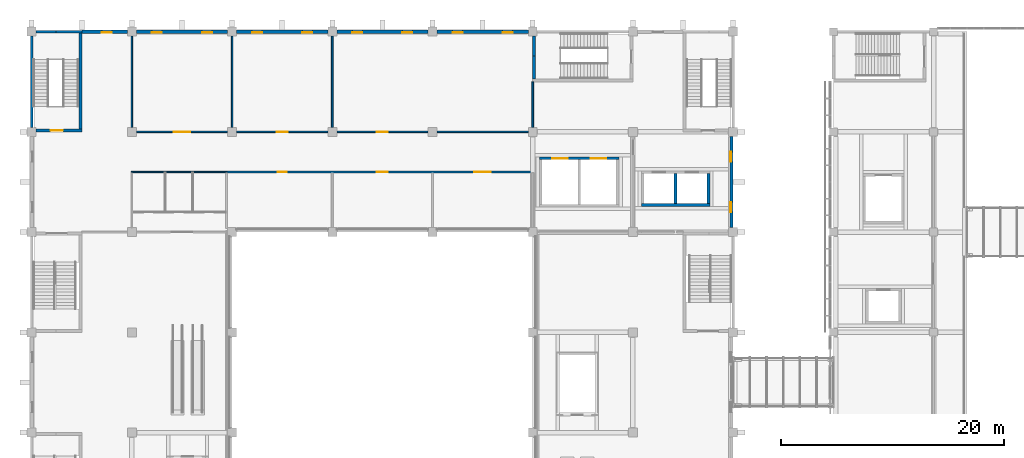
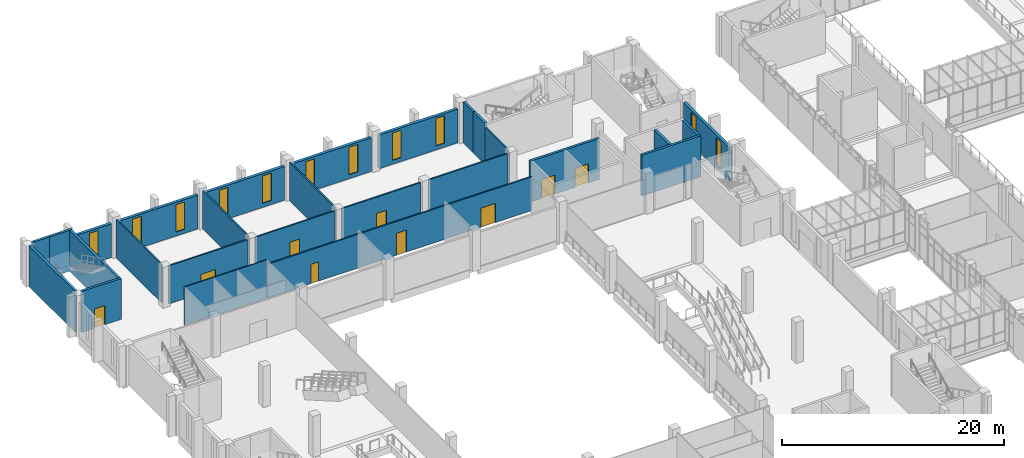
# One storey, part 73 of 106: 27 walls, 11 windows, 9 doors, 20 openings.
"""IFC4 building model written with IfcOpenShell, lengths in metres."""

from ifc_helpers import new_model, si_unit, direction, frame, frame_2d, origin, place, context, subcontext, project, spatial, rectangle, extrude, material, layer, layer_set, type_object, element, fill, save


model = new_model("IFC4")

# Units and contexts
model_context = context("Model", 3, precision=1e-05, world=origin(), true_north=direction((0.0, 1.0)))
body_context = subcontext(model_context, "Body", "Model", "MODEL_VIEW")
ifc_project = project(units=[si_unit("LENGTHUNIT", "METRE"), si_unit("AREAUNIT", "SQUARE_METRE"), si_unit("VOLUMEUNIT", "CUBIC_METRE"), si_unit("PLANEANGLEUNIT", "RADIAN"), si_unit("MASSUNIT", "GRAM", prefix="KILO")], contexts=[model_context])

# Site, building, storey
site_placement = place(None, origin())
site = spatial("IfcSite", under=ifc_project, at=site_placement, CompositionType="ELEMENT")
building_placement = place(site_placement, origin())
building = spatial("IfcBuilding", under=site, at=building_placement, Name="Guidao Yard Department Store", CompositionType="ELEMENT")
storey_placement = place(building_placement, frame((0.0, 0.0, 10.5)))
storey = spatial("IfcBuildingStorey", under=building, at=storey_placement, Name="L02", CompositionType="ELEMENT", Elevation=10.5)

# Wall, opening, window
ifc_material_1 = material(Name="Concrete C35", Category="concrete")
ifc_layer_1 = layer(ifc_material_1, 0.300048828125)
ifc_layer_set_1 = layer_set([ifc_layer_1], Name="Hall facade wall 300 C35")
wall_type_1 = type_object("IfcWallType", Name="Hall facade wall 300 C35", PredefinedType="SOLIDWALL", material=ifc_layer_set_1)
wall_1_placement = place(storey_placement, frame((4.5, 108.0, 0.0), z_axis=(0.0, 0.0, 1.0), x_axis=(1.0, 0.0, 0.0)))
wall_1 = element("IfcWall", 1, at=wall_1_placement, inside=storey, type_object=wall_type_1, Name="Hall facade wall", PredefinedType="SOLIDWALL", context=body_context, shape_type="SweptSolid", body=[
    extrude(rectangle(XDim=4.10009765625, YDim=0.300048828125, at=frame_2d((2.050048828125, 0.0))), origin(), (0.0, 0.0, 1.0), 3.699951171875),
])
opening_1_placement = place(wall_1_placement, frame((1.800048828125, 0.0, 0.449951171875)))
opening_1 = element("IfcOpeningElement", 2, at=opening_1_placement, cuts=wall_1, Name="Opening WN-L02-E09", PredefinedType="OPENING", context=body_context, shape_type="SweptSolid", body=[
    extrude(rectangle(XDim=0.89990234375, YDim=3.0, at=frame_2d((0.449951171875, 1.5))), frame((0.0, 0.159912109375, 0.0), z_axis=(0.0, -1.0, 0.0), x_axis=(1.0, 0.0, 0.0)), (0.0, 0.0, 1.0), 0.320068359375),
])
ifc_material_2 = material(Name="Laminated glass in aluminium frame", Category="aluminium")
window_type = type_object("IfcWindowType", Name="Slot window SL1 900 x 3000 fixed", PartitioningType="SINGLE_PANEL", PredefinedType="WINDOW", material=ifc_material_2)
window_1_placement = place(opening_1_placement, origin())
window_1 = element("IfcWindow", 3, at=window_1_placement, inside=storey, type_object=window_type, Name="Slot window", OverallHeight=3.0, OverallWidth=0.89990234375, PartitioningType="SINGLE_PANEL", PredefinedType="WINDOW", context=body_context, shape_type="SweptSolid", body=[
    extrude(rectangle(XDim=0.89990234375, YDim=3.0, at=frame_2d((0.449951171875, 1.5))), frame((0.0, -0.030029296875, 0.0), z_axis=(0.0, -1.0, 0.0), x_axis=(1.0, 0.0, 0.0)), (0.0, 0.0, 1.0), 0.06005859375),
])
fill(opening_1, window_1)

# Wall, openings, windows
wall_2_placement = place(storey_placement, frame((9.39990234375, 108.0, 0.0), z_axis=(0.0, 0.0, 1.0), x_axis=(1.0, 0.0, 0.0)))
wall_2 = element("IfcWall", 4, at=wall_2_placement, inside=storey, type_object=wall_type_1, Name="Hall facade wall", PredefinedType="SOLIDWALL", context=body_context, shape_type="SweptSolid", body=[
    extrude(rectangle(XDim=8.2001953125, YDim=0.300048828125, at=frame_2d((4.10009765625, 0.0))), origin(), (0.0, 0.0, 1.0), 3.699951171875),
])
opening_2_placement = place(wall_2_placement, frame((1.39990234375, 0.0, 0.449951171875)))
opening_2 = element("IfcOpeningElement", 5, at=opening_2_placement, cuts=wall_2, Name="Opening WN-L02-E10", PredefinedType="OPENING", context=body_context, shape_type="SweptSolid", body=[
    extrude(rectangle(XDim=0.89990234375, YDim=3.0, at=frame_2d((0.449951171875, 1.5))), frame((0.0, 0.159912109375, 0.0), z_axis=(0.0, -1.0, 0.0), x_axis=(1.0, 0.0, 0.0)), (0.0, 0.0, 1.0), 0.320068359375),
])
opening_3_placement = place(wall_2_placement, frame((5.89990234375, 0.0, 0.449951171875)))
opening_3 = element("IfcOpeningElement", 6, at=opening_3_placement, cuts=wall_2, Name="Opening WN-L02-E11", PredefinedType="OPENING", context=body_context, shape_type="SweptSolid", body=[
    extrude(rectangle(XDim=0.89990234375, YDim=3.0, at=frame_2d((0.449951171875, 1.5))), frame((0.0, 0.159912109375, 0.0), z_axis=(0.0, -1.0, 0.0), x_axis=(1.0, 0.0, 0.0)), (0.0, 0.0, 1.0), 0.320068359375),
])
window_2_placement = place(opening_2_placement, origin())
window_2 = element("IfcWindow", 7, at=window_2_placement, inside=storey, type_object=window_type, Name="Slot window", OverallHeight=3.0, OverallWidth=0.89990234375, PartitioningType="SINGLE_PANEL", PredefinedType="WINDOW", context=body_context, shape_type="SweptSolid", body=[
    extrude(rectangle(XDim=0.89990234375, YDim=3.0, at=frame_2d((0.449951171875, 1.5))), frame((0.0, -0.030029296875, 0.0), z_axis=(0.0, -1.0, 0.0), x_axis=(1.0, 0.0, 0.0)), (0.0, 0.0, 1.0), 0.06005859375),
])
fill(opening_2, window_2)
window_3_placement = place(opening_3_placement, origin())
window_3 = element("IfcWindow", 8, at=window_3_placement, inside=storey, type_object=window_type, Name="Slot window", OverallHeight=3.0, OverallWidth=0.89990234375, PartitioningType="SINGLE_PANEL", PredefinedType="WINDOW", context=body_context, shape_type="SweptSolid", body=[
    extrude(rectangle(XDim=0.89990234375, YDim=3.0, at=frame_2d((0.449951171875, 1.5))), frame((0.0, -0.030029296875, 0.0), z_axis=(0.0, -1.0, 0.0), x_axis=(1.0, 0.0, 0.0)), (0.0, 0.0, 1.0), 0.06005859375),
])
fill(opening_3, window_3)

wall_3_placement = place(storey_placement, frame((18.39990234375, 108.0, 0.0), z_axis=(0.0, 0.0, 1.0), x_axis=(1.0, 0.0, 0.0)))
wall_3 = element("IfcWall", 9, at=wall_3_placement, inside=storey, type_object=wall_type_1, Name="Hall facade wall", PredefinedType="SOLIDWALL", context=body_context, shape_type="SweptSolid", body=[
    extrude(rectangle(XDim=8.2001953125, YDim=0.300048828125, at=frame_2d((4.10009765625, 0.0))), origin(), (0.0, 0.0, 1.0), 3.699951171875),
])
opening_4_placement = place(wall_3_placement, frame((1.39990234375, 0.0, 0.449951171875)))
opening_4 = element("IfcOpeningElement", 10, at=opening_4_placement, cuts=wall_3, Name="Opening WN-L02-E12", PredefinedType="OPENING", context=body_context, shape_type="SweptSolid", body=[
    extrude(rectangle(XDim=0.89990234375, YDim=3.0, at=frame_2d((0.449951171875, 1.5))), frame((0.0, 0.159912109375, 0.0), z_axis=(0.0, -1.0, 0.0), x_axis=(1.0, 0.0, 0.0)), (0.0, 0.0, 1.0), 0.320068359375),
])
opening_5_placement = place(wall_3_placement, frame((5.89990234375, 0.0, 0.449951171875)))
opening_5 = element("IfcOpeningElement", 11, at=opening_5_placement, cuts=wall_3, Name="Opening WN-L02-E13", PredefinedType="OPENING", context=body_context, shape_type="SweptSolid", body=[
    extrude(rectangle(XDim=0.89990234375, YDim=3.0, at=frame_2d((0.449951171875, 1.5))), frame((0.0, 0.159912109375, 0.0), z_axis=(0.0, -1.0, 0.0), x_axis=(1.0, 0.0, 0.0)), (0.0, 0.0, 1.0), 0.320068359375),
])
window_4_placement = place(opening_4_placement, origin())
window_4 = element("IfcWindow", 12, at=window_4_placement, inside=storey, type_object=window_type, Name="Slot window", OverallHeight=3.0, OverallWidth=0.89990234375, PartitioningType="SINGLE_PANEL", PredefinedType="WINDOW", context=body_context, shape_type="SweptSolid", body=[
    extrude(rectangle(XDim=0.89990234375, YDim=3.0, at=frame_2d((0.449951171875, 1.5))), frame((0.0, -0.030029296875, 0.0), z_axis=(0.0, -1.0, 0.0), x_axis=(1.0, 0.0, 0.0)), (0.0, 0.0, 1.0), 0.06005859375),
])
fill(opening_4, window_4)
window_5_placement = place(opening_5_placement, origin())
window_5 = element("IfcWindow", 13, at=window_5_placement, inside=storey, type_object=window_type, Name="Slot window", OverallHeight=3.0, OverallWidth=0.89990234375, PartitioningType="SINGLE_PANEL", PredefinedType="WINDOW", context=body_context, shape_type="SweptSolid", body=[
    extrude(rectangle(XDim=0.89990234375, YDim=3.0, at=frame_2d((0.449951171875, 1.5))), frame((0.0, -0.030029296875, 0.0), z_axis=(0.0, -1.0, 0.0), x_axis=(1.0, 0.0, 0.0)), (0.0, 0.0, 1.0), 0.06005859375),
])
fill(opening_5, window_5)

wall_4_placement = place(storey_placement, frame((27.39990234375, 108.0, 0.0), z_axis=(0.0, 0.0, 1.0), x_axis=(1.0, 0.0, 0.0)))
wall_4 = element("IfcWall", 14, at=wall_4_placement, inside=storey, type_object=wall_type_1, Name="Hall facade wall", PredefinedType="SOLIDWALL", context=body_context, shape_type="SweptSolid", body=[
    extrude(rectangle(XDim=8.2001953125, YDim=0.300048828125, at=frame_2d((4.10009765625, 0.0))), origin(), (0.0, 0.0, 1.0), 3.699951171875),
])
opening_6_placement = place(wall_4_placement, frame((1.39990234375, 0.0, 0.449951171875)))
opening_6 = element("IfcOpeningElement", 15, at=opening_6_placement, cuts=wall_4, Name="Opening WN-L02-E14", PredefinedType="OPENING", context=body_context, shape_type="SweptSolid", body=[
    extrude(rectangle(XDim=0.89990234375, YDim=3.0, at=frame_2d((0.449951171875, 1.5))), frame((0.0, 0.159912109375, 0.0), z_axis=(0.0, -1.0, 0.0), x_axis=(1.0, 0.0, 0.0)), (0.0, 0.0, 1.0), 0.320068359375),
])
opening_7_placement = place(wall_4_placement, frame((5.89990234375, 0.0, 0.449951171875)))
opening_7 = element("IfcOpeningElement", 16, at=opening_7_placement, cuts=wall_4, Name="Opening WN-L02-E15", PredefinedType="OPENING", context=body_context, shape_type="SweptSolid", body=[
    extrude(rectangle(XDim=0.89990234375, YDim=3.0, at=frame_2d((0.449951171875, 1.5))), frame((0.0, 0.159912109375, 0.0), z_axis=(0.0, -1.0, 0.0), x_axis=(1.0, 0.0, 0.0)), (0.0, 0.0, 1.0), 0.320068359375),
])
window_6_placement = place(opening_6_placement, origin())
window_6 = element("IfcWindow", 17, at=window_6_placement, inside=storey, type_object=window_type, Name="Slot window", OverallHeight=3.0, OverallWidth=0.89990234375, PartitioningType="SINGLE_PANEL", PredefinedType="WINDOW", context=body_context, shape_type="SweptSolid", body=[
    extrude(rectangle(XDim=0.89990234375, YDim=3.0, at=frame_2d((0.449951171875, 1.5))), frame((0.0, -0.030029296875, 0.0), z_axis=(0.0, -1.0, 0.0), x_axis=(1.0, 0.0, 0.0)), (0.0, 0.0, 1.0), 0.06005859375),
])
fill(opening_6, window_6)
window_7_placement = place(opening_7_placement, origin())
window_7 = element("IfcWindow", 18, at=window_7_placement, inside=storey, type_object=window_type, Name="Slot window", OverallHeight=3.0, OverallWidth=0.89990234375, PartitioningType="SINGLE_PANEL", PredefinedType="WINDOW", context=body_context, shape_type="SweptSolid", body=[
    extrude(rectangle(XDim=0.89990234375, YDim=3.0, at=frame_2d((0.449951171875, 1.5))), frame((0.0, -0.030029296875, 0.0), z_axis=(0.0, -1.0, 0.0), x_axis=(1.0, 0.0, 0.0)), (0.0, 0.0, 1.0), 0.06005859375),
])
fill(opening_7, window_7)

wall_5_placement = place(storey_placement, frame((36.39990234375, 108.0, 0.0), z_axis=(0.0, 0.0, 1.0), x_axis=(1.0, 0.0, 0.0)))
wall_5 = element("IfcWall", 19, at=wall_5_placement, inside=storey, type_object=wall_type_1, Name="Hall facade wall", PredefinedType="SOLIDWALL", context=body_context, shape_type="SweptSolid", body=[
    extrude(rectangle(XDim=8.2001953125, YDim=0.300048828125, at=frame_2d((4.10009765625, 0.0))), origin(), (0.0, 0.0, 1.0), 3.699951171875),
])
opening_8_placement = place(wall_5_placement, frame((1.39990234375, 0.0, 0.449951171875)))
opening_8 = element("IfcOpeningElement", 20, at=opening_8_placement, cuts=wall_5, Name="Opening WN-L02-E16", PredefinedType="OPENING", context=body_context, shape_type="SweptSolid", body=[
    extrude(rectangle(XDim=0.89990234375, YDim=3.0, at=frame_2d((0.449951171875, 1.5))), frame((0.0, 0.159912109375, 0.0), z_axis=(0.0, -1.0, 0.0), x_axis=(1.0, 0.0, 0.0)), (0.0, 0.0, 1.0), 0.320068359375),
])
opening_9_placement = place(wall_5_placement, frame((5.89990234375, 0.0, 0.449951171875)))
opening_9 = element("IfcOpeningElement", 21, at=opening_9_placement, cuts=wall_5, Name="Opening WN-L02-E17", PredefinedType="OPENING", context=body_context, shape_type="SweptSolid", body=[
    extrude(rectangle(XDim=0.89990234375, YDim=3.0, at=frame_2d((0.449951171875, 1.5))), frame((0.0, 0.159912109375, 0.0), z_axis=(0.0, -1.0, 0.0), x_axis=(1.0, 0.0, 0.0)), (0.0, 0.0, 1.0), 0.320068359375),
])
window_8_placement = place(opening_8_placement, origin())
window_8 = element("IfcWindow", 22, at=window_8_placement, inside=storey, type_object=window_type, Name="Slot window", OverallHeight=3.0, OverallWidth=0.89990234375, PartitioningType="SINGLE_PANEL", PredefinedType="WINDOW", context=body_context, shape_type="SweptSolid", body=[
    extrude(rectangle(XDim=0.89990234375, YDim=3.0, at=frame_2d((0.449951171875, 1.5))), frame((0.0, -0.030029296875, 0.0), z_axis=(0.0, -1.0, 0.0), x_axis=(1.0, 0.0, 0.0)), (0.0, 0.0, 1.0), 0.06005859375),
])
fill(opening_8, window_8)
window_9_placement = place(opening_9_placement, origin())
window_9 = element("IfcWindow", 23, at=window_9_placement, inside=storey, type_object=window_type, Name="Slot window", OverallHeight=3.0, OverallWidth=0.89990234375, PartitioningType="SINGLE_PANEL", PredefinedType="WINDOW", context=body_context, shape_type="SweptSolid", body=[
    extrude(rectangle(XDim=0.89990234375, YDim=3.0, at=frame_2d((0.449951171875, 1.5))), frame((0.0, -0.030029296875, 0.0), z_axis=(0.0, -1.0, 0.0), x_axis=(1.0, 0.0, 0.0)), (0.0, 0.0, 1.0), 0.06005859375),
])
fill(opening_9, window_9)

wall_6_placement = place(storey_placement, frame((62.85009765625, 98.60009765625, 0.0), z_axis=(0.0, 0.0, 1.0), x_axis=(0.0, -1.0, 0.0)))
wall_6 = element("IfcWall", 24, at=wall_6_placement, inside=storey, type_object=wall_type_1, Name="Hall facade wall", PredefinedType="SOLIDWALL", context=body_context, shape_type="SweptSolid", body=[
    extrude(rectangle(XDim=8.2001953125, YDim=0.300048828125, at=frame_2d((4.10009765625, 0.0))), origin(), (0.0, 0.0, 1.0), 3.699951171875),
])
opening_10_placement = place(wall_6_placement, frame((5.89990234375, 0.0, 0.449951171875)))
opening_10 = element("IfcOpeningElement", 25, at=opening_10_placement, cuts=wall_6, Name="Opening WN-L02-E23", PredefinedType="OPENING", context=body_context, shape_type="SweptSolid", body=[
    extrude(rectangle(XDim=0.89990234375, YDim=3.0, at=frame_2d((0.449951171875, 1.5))), frame((0.0, 0.159912109375, 0.0), z_axis=(0.0, -1.0, 0.0), x_axis=(1.0, 0.0, 0.0)), (0.0, 0.0, 1.0), 0.320068359375),
])
opening_11_placement = place(wall_6_placement, frame((1.39990234375, 0.0, 0.449951171875)))
opening_11 = element("IfcOpeningElement", 26, at=opening_11_placement, cuts=wall_6, Name="Opening WN-L02-E24", PredefinedType="OPENING", context=body_context, shape_type="SweptSolid", body=[
    extrude(rectangle(XDim=0.89990234375, YDim=3.0, at=frame_2d((0.449951171875, 1.5))), frame((0.0, 0.159912109375, 0.0), z_axis=(0.0, -1.0, 0.0), x_axis=(1.0, 0.0, 0.0)), (0.0, 0.0, 1.0), 0.320068359375),
])
window_10_placement = place(opening_10_placement, origin())
window_10 = element("IfcWindow", 27, at=window_10_placement, inside=storey, type_object=window_type, Name="Slot window", OverallHeight=3.0, OverallWidth=0.89990234375, PartitioningType="SINGLE_PANEL", PredefinedType="WINDOW", context=body_context, shape_type="SweptSolid", body=[
    extrude(rectangle(XDim=0.89990234375, YDim=3.0, at=frame_2d((0.449951171875, 1.5))), frame((0.0, -0.030029296875, 0.0), z_axis=(0.0, -1.0, 0.0), x_axis=(1.0, 0.0, 0.0)), (0.0, 0.0, 1.0), 0.06005859375),
])
fill(opening_10, window_10)
window_11_placement = place(opening_11_placement, origin())
window_11 = element("IfcWindow", 28, at=window_11_placement, inside=storey, type_object=window_type, Name="Slot window", OverallHeight=3.0, OverallWidth=0.89990234375, PartitioningType="SINGLE_PANEL", PredefinedType="WINDOW", context=body_context, shape_type="SweptSolid", body=[
    extrude(rectangle(XDim=0.89990234375, YDim=3.0, at=frame_2d((0.449951171875, 1.5))), frame((0.0, -0.030029296875, 0.0), z_axis=(0.0, -1.0, 0.0), x_axis=(1.0, 0.0, 0.0)), (0.0, 0.0, 1.0), 0.06005859375),
])
fill(opening_11, window_11)

# Wall
ifc_material_3 = material(Name="Gypsum board on Steel Q235 studs", Category="steel")
ifc_layer_2 = layer(ifc_material_3, 0.10009765625)
ifc_layer_set_2 = layer_set([ifc_layer_2], Name="Partition P1 100 mm gypsum board EI 30")
wall_type_2 = type_object("IfcWallType", Name="Partition P1 100 mm gypsum board EI 30", PredefinedType="PARTITIONING", material=ifc_layer_set_2)
wall_7_placement = place(storey_placement, frame((8.949951171875, 95.39990234375, 0.0), z_axis=(0.0, 0.0, 1.0), x_axis=(1.0, 0.0, 0.0)))
element("IfcWall", 29, at=wall_7_placement, inside=storey, type_object=wall_type_2, Name="Wall W-HL02-028", PredefinedType="PARTITIONING", context=body_context, shape_type="SweptSolid", body=[
    extrude(rectangle(XDim=8.550048828125, YDim=0.10009765625, at=frame_2d((4.27490234375, 0.0))), origin(), (0.0, 0.0, 1.0), 4.199951171875),
])

# Wall, openings, doors
ifc_material_4 = material(Name="Concrete block MU10", Category="concrete")
ifc_layer_3 = layer(ifc_material_4, 0.14990234375)
ifc_layer_set_3 = layer_set([ifc_layer_3], Name="Wall P2 150 mm blockwork EI 60")
wall_type_3 = type_object("IfcWallType", Name="Wall P2 150 mm blockwork EI 60", PredefinedType="PARTITIONING", material=ifc_layer_set_3)
wall_8_placement = place(storey_placement, frame((17.5, 95.39990234375, 0.0), z_axis=(0.0, 0.0, 1.0), x_axis=(1.0, 0.0, 0.0)))
wall_8 = element("IfcWall", 30, at=wall_8_placement, inside=storey, type_object=wall_type_3, Name="Wall W-HL02-027", PredefinedType="PARTITIONING", context=body_context, shape_type="SweptSolid", body=[
    extrude(rectangle(XDim=27.574951171875, YDim=0.14990234375, at=frame_2d((13.78759765625, 0.0))), origin(), (0.0, 0.0, 1.0), 3.699951171875),
])
opening_12_placement = place(wall_8_placement, frame((5.400146484375, 0.0, 0.0), z_axis=(0.0, 0.0, 1.0), x_axis=(-1.0, 0.0, 0.0)))
opening_12 = element("IfcOpeningElement", 31, at=opening_12_placement, cuts=wall_8, Name="Opening HL02-009", PredefinedType="OPENING", context=body_context, shape_type="SweptSolid", body=[
    extrude(rectangle(XDim=0.800048828125, YDim=2.10009765625, at=frame_2d((0.39990234375, 1.050048828125))), frame((0.0, 0.0849609375, 0.0), z_axis=(0.0, -1.0, 0.0), x_axis=(1.0, 0.0, 0.0)), (0.0, 0.0, 1.0), 0.169921875),
])
opening_13_placement = place(wall_8_placement, frame((14.5, 0.0, 0.0), z_axis=(0.0, 0.0, 1.0), x_axis=(-1.0, 0.0, 0.0)))
opening_13 = element("IfcOpeningElement", 32, at=opening_13_placement, cuts=wall_8, Name="Opening HL02-010", PredefinedType="OPENING", context=body_context, shape_type="SweptSolid", body=[
    extrude(rectangle(XDim=1.0, YDim=2.39990234375, at=frame_2d((0.5, 1.199951171875))), frame((0.0, 0.0849609375, 0.0), z_axis=(0.0, -1.0, 0.0), x_axis=(1.0, 0.0, 0.0)), (0.0, 0.0, 1.0), 0.169921875),
])
opening_14_placement = place(wall_8_placement, frame((23.75, 0.0, 0.0), z_axis=(0.0, 0.0, 1.0), x_axis=(-1.0, 0.0, 0.0)))
opening_14 = element("IfcOpeningElement", 33, at=opening_14_placement, cuts=wall_8, Name="Opening HL02-011", PredefinedType="OPENING", context=body_context, shape_type="SweptSolid", body=[
    extrude(rectangle(XDim=1.5, YDim=2.10009765625, at=frame_2d((0.75, 1.050048828125))), frame((0.0, 0.0849609375, 0.0), z_axis=(0.0, -1.0, 0.0), x_axis=(1.0, 0.0, 0.0)), (0.0, 0.0, 1.0), 0.169921875),
])
ifc_material_5 = material(Name="Timber door leaf", Category="wood")
door_type_1 = type_object("IfcDoorType", Name="Door D4 800 x 2100", OperationType="SINGLE_SWING_LEFT", PredefinedType="DOOR", material=ifc_material_5)
door_1_placement = place(opening_12_placement, origin())
door_1 = element("IfcDoor", 34, at=door_1_placement, inside=storey, type_object=door_type_1, Name="Door HL02-009", OperationType="SINGLE_SWING_RIGHT", OverallHeight=2.10009765625, OverallWidth=0.800048828125, PredefinedType="DOOR", context=body_context, shape_type="SweptSolid", body=[
    extrude(rectangle(XDim=0.800048828125, YDim=2.10009765625, at=frame_2d((0.39990234375, 1.050048828125))), frame((0.0, 0.02490234375, 0.0), z_axis=(0.0, -1.0, 0.0), x_axis=(1.0, 0.0, 0.0)), (0.0, 0.0, 1.0), 0.050048828125),
])
fill(opening_12, door_1)
ifc_material_6 = material(Name="Steel Q235", Category="steel")
door_type_2 = type_object("IfcDoorType", Name="Door FD11 trolley double 1500 x 2100 FD60", OperationType="DOUBLE_DOOR_SINGLE_SWING", PredefinedType="DOOR", material=ifc_material_6)
door_2_placement = place(opening_14_placement, origin())
door_2 = element("IfcDoor", 35, at=door_2_placement, inside=storey, type_object=door_type_2, Name="Door HL02-011", OperationType="DOUBLE_DOOR_SINGLE_SWING", OverallHeight=2.10009765625, OverallWidth=1.5, PredefinedType="DOOR", context=body_context, shape_type="SweptSolid", body=[
    extrude(rectangle(XDim=1.5, YDim=2.10009765625, at=frame_2d((0.75, 1.050048828125))), frame((0.0, 0.02490234375, 0.0), z_axis=(0.0, -1.0, 0.0), x_axis=(1.0, 0.0, 0.0)), (0.0, 0.0, 1.0), 0.050048828125),
])
fill(opening_14, door_2)
ifc_material_7 = material(Name="Steel Q235", Category="steel")
door_type_3 = type_object("IfcDoorType", Name="Door FD15 staff 1000 x 2400 FD60", OperationType="SINGLE_SWING_LEFT", PredefinedType="DOOR", material=ifc_material_7)
door_3_placement = place(opening_13_placement, origin())
door_3 = element("IfcDoor", 36, at=door_3_placement, inside=storey, type_object=door_type_3, Name="Door HL02-010", OperationType="SINGLE_SWING_LEFT", OverallHeight=2.39990234375, OverallWidth=1.0, PredefinedType="DOOR", context=body_context, shape_type="SweptSolid", body=[
    extrude(rectangle(XDim=1.0, YDim=2.39990234375, at=frame_2d((0.5, 1.199951171875))), frame((0.0, 0.02490234375, 0.0), z_axis=(0.0, -1.0, 0.0), x_axis=(1.0, 0.0, 0.0)), (0.0, 0.0, 1.0), 0.050048828125),
])
fill(opening_13, door_3)

# Wall, opening, door
wall_9_placement = place(storey_placement, frame((9.39990234375, 99.0, 0.0), z_axis=(0.0, 0.0, 1.0), x_axis=(1.0, 0.0, 0.0)))
wall_9 = element("IfcWall", 37, at=wall_9_placement, inside=storey, type_object=wall_type_3, Name="Wall W-HL02-029", PredefinedType="PARTITIONING", context=body_context, shape_type="SweptSolid", body=[
    extrude(rectangle(XDim=8.2001953125, YDim=0.14990234375, at=frame_2d((4.10009765625, 0.0))), origin(), (0.0, 0.0, 1.0), 4.199951171875),
])
opening_15_placement = place(wall_9_placement, frame((3.35009765625, 0.0, 0.0)))
opening_15 = element("IfcOpeningElement", 38, at=opening_15_placement, cuts=wall_9, Name="Opening HL02-013", PredefinedType="OPENING", context=body_context, shape_type="SweptSolid", body=[
    extrude(rectangle(XDim=1.5, YDim=2.10009765625, at=frame_2d((0.75, 1.050048828125))), frame((0.0, 0.0849609375, 0.0), z_axis=(0.0, -1.0, 0.0), x_axis=(1.0, 0.0, 0.0)), (0.0, 0.0, 1.0), 0.169921875),
])
door_4_placement = place(opening_15_placement, origin())
door_4 = element("IfcDoor", 39, at=door_4_placement, inside=storey, type_object=door_type_2, Name="Door HL02-013", OperationType="DOUBLE_DOOR_SINGLE_SWING", OverallHeight=2.10009765625, OverallWidth=1.5, PredefinedType="DOOR", context=body_context, shape_type="SweptSolid", body=[
    extrude(rectangle(XDim=1.5, YDim=2.10009765625, at=frame_2d((0.75, 1.050048828125))), frame((0.0, 0.02490234375, 0.0), z_axis=(0.0, -1.0, 0.0), x_axis=(1.0, 0.0, 0.0)), (0.0, 0.0, 1.0), 0.050048828125),
])
fill(opening_15, door_4)

wall_10_placement = place(storey_placement, frame((18.39990234375, 99.0, 0.0), z_axis=(0.0, 0.0, 1.0), x_axis=(1.0, 0.0, 0.0)))
wall_10 = element("IfcWall", 40, at=wall_10_placement, inside=storey, type_object=wall_type_3, Name="Wall W-HL02-030", PredefinedType="PARTITIONING", context=body_context, shape_type="SweptSolid", body=[
    extrude(rectangle(XDim=8.2001953125, YDim=0.14990234375, at=frame_2d((4.10009765625, 0.0))), origin(), (0.0, 0.0, 1.0), 4.199951171875),
])
opening_16_placement = place(wall_10_placement, frame((3.60009765625, 0.0, 0.0)))
opening_16 = element("IfcOpeningElement", 41, at=opening_16_placement, cuts=wall_10, Name="Opening HL02-014", PredefinedType="OPENING", context=body_context, shape_type="SweptSolid", body=[
    extrude(rectangle(XDim=1.0, YDim=2.39990234375, at=frame_2d((0.5, 1.199951171875))), frame((0.0, 0.0849609375, 0.0), z_axis=(0.0, -1.0, 0.0), x_axis=(1.0, 0.0, 0.0)), (0.0, 0.0, 1.0), 0.169921875),
])
door_5_placement = place(opening_16_placement, origin())
door_5 = element("IfcDoor", 42, at=door_5_placement, inside=storey, type_object=door_type_3, Name="Door HL02-014", OperationType="SINGLE_SWING_LEFT", OverallHeight=2.39990234375, OverallWidth=1.0, PredefinedType="DOOR", context=body_context, shape_type="SweptSolid", body=[
    extrude(rectangle(XDim=1.0, YDim=2.39990234375, at=frame_2d((0.5, 1.199951171875))), frame((0.0, 0.02490234375, 0.0), z_axis=(0.0, -1.0, 0.0), x_axis=(1.0, 0.0, 0.0)), (0.0, 0.0, 1.0), 0.050048828125),
])
fill(opening_16, door_5)

wall_11_placement = place(storey_placement, frame((27.39990234375, 99.0, 0.0), z_axis=(0.0, 0.0, 1.0), x_axis=(1.0, 0.0, 0.0)))
wall_11 = element("IfcWall", 43, at=wall_11_placement, inside=storey, type_object=wall_type_3, Name="Wall W-HL02-031", PredefinedType="PARTITIONING", context=body_context, shape_type="SweptSolid", body=[
    extrude(rectangle(XDim=8.2001953125, YDim=0.14990234375, at=frame_2d((4.10009765625, 0.0))), origin(), (0.0, 0.0, 1.0), 4.199951171875),
])
opening_17_placement = place(wall_11_placement, frame((3.60009765625, 0.0, 0.0)))
opening_17 = element("IfcOpeningElement", 44, at=opening_17_placement, cuts=wall_11, Name="Opening HL02-015", PredefinedType="OPENING", context=body_context, shape_type="SweptSolid", body=[
    extrude(rectangle(XDim=1.0, YDim=2.39990234375, at=frame_2d((0.5, 1.199951171875))), frame((0.0, 0.0849609375, 0.0), z_axis=(0.0, -1.0, 0.0), x_axis=(1.0, 0.0, 0.0)), (0.0, 0.0, 1.0), 0.169921875),
])
door_6_placement = place(opening_17_placement, origin())
door_6 = element("IfcDoor", 45, at=door_6_placement, inside=storey, type_object=door_type_3, Name="Door HL02-015", OperationType="SINGLE_SWING_LEFT", OverallHeight=2.39990234375, OverallWidth=1.0, PredefinedType="DOOR", context=body_context, shape_type="SweptSolid", body=[
    extrude(rectangle(XDim=1.0, YDim=2.39990234375, at=frame_2d((0.5, 1.199951171875))), frame((0.0, 0.02490234375, 0.0), z_axis=(0.0, -1.0, 0.0), x_axis=(1.0, 0.0, 0.0)), (0.0, 0.0, 1.0), 0.050048828125),
])
fill(opening_17, door_6)

# Walls
for number, where, z_axis, x_axis, name in (
    (46, (36.39990234375, 99.0, 0.0), (0.0, 0.0, 1.0), (1.0, 0.0, 0.0), "Wall W-HL02-032"),
    (47, (9.0, 99.39990234375, 0.0), (0.0, 0.0, 1.0), (0.0, 1.0, 0.0), "Wall W-HL02-033"),
    (48, (18.0, 99.39990234375, 0.0), (0.0, 0.0, 1.0), (0.0, 1.0, 0.0), "Wall W-HL02-034"),
    (49, (27.0, 99.39990234375, 0.0), (0.0, 0.0, 1.0), (0.0, 1.0, 0.0), "Wall W-HL02-035"),
):
    element("IfcWall", number, at=place(storey_placement, frame(where, z_axis=z_axis, x_axis=x_axis)), inside=storey, type_object=wall_type_3, Name=name, PredefinedType="PARTITIONING", context=body_context, shape_type="SweptSolid", body=[
        extrude(rectangle(XDim=8.2001953125, YDim=0.14990234375, at=frame_2d((4.10009765625, 0.0))), origin(), (0.0, 0.0, 1.0), 4.199951171875),
    ])
wall_12_placement = place(storey_placement, frame((45.0, 99.39990234375, 0.0), z_axis=(0.0, 0.0, 1.0), x_axis=(0.0, 1.0, 0.0)))
element("IfcWall", 50, at=wall_12_placement, inside=storey, type_object=wall_type_3, Name="Wall W-HL02-036", PredefinedType="PARTITIONING", context=body_context, shape_type="SweptSolid", body=[
    extrude(rectangle(XDim=4.10009765625, YDim=0.14990234375, at=frame_2d((2.050048828125, 0.0))), origin(), (0.0, 0.0, 1.0), 4.199951171875),
])

# Wall, opening, door
ifc_material_8 = material(Name="Concrete C40", Category="concrete")
ifc_layer_4 = layer(ifc_material_8, 0.25)
ifc_layer_set_4 = layer_set([ifc_layer_4], Name="Wall RC 250 C40 stair and shaft")
wall_type_4 = type_object("IfcWallType", Name="Wall RC 250 C40 stair and shaft", PredefinedType="SHEAR", material=ifc_layer_set_4)
wall_13_placement = place(storey_placement, frame((0.39990234375, 99.125, 0.0), z_axis=(0.0, 0.0, 1.0), x_axis=(1.0, 0.0, 0.0)))
wall_13 = element("IfcWall", 51, at=wall_13_placement, inside=storey, type_object=wall_type_4, Name="Stair wall SA5", PredefinedType="SHEAR", context=body_context, shape_type="SweptSolid", body=[
    extrude(rectangle(XDim=4.10009765625, YDim=0.25, at=frame_2d((2.050048828125, 0.0))), origin(), (0.0, 0.0, 1.0), 4.5),
])
opening_18_placement = place(wall_13_placement, frame((1.300048828125, 0.0, 0.0)))
opening_18 = element("IfcOpeningElement", 52, at=opening_18_placement, cuts=wall_13, Name="Opening L02-804", PredefinedType="OPENING", context=body_context, shape_type="SweptSolid", body=[
    extrude(rectangle(XDim=1.10009765625, YDim=2.10009765625, at=frame_2d((0.550048828125, 1.050048828125))), frame((0.0, 0.135009765625, 0.0), z_axis=(0.0, -1.0, 0.0), x_axis=(1.0, 0.0, 0.0)), (0.0, 0.0, 1.0), 0.27001953125),
])
ifc_material_9 = material(Name="Steel Q235", Category="steel")
door_type_4 = type_object("IfcDoorType", Name="Door fire-resisting 1100 x 2100 FD60", OperationType="SINGLE_SWING_LEFT", PredefinedType="DOOR", material=ifc_material_9)
door_7_placement = place(opening_18_placement, origin())
door_7 = element("IfcDoor", 53, at=door_7_placement, inside=storey, type_object=door_type_4, Name="Stair A5 door L02", OperationType="SINGLE_SWING_LEFT", OverallHeight=2.10009765625, OverallWidth=1.10009765625, PredefinedType="DOOR", context=body_context, shape_type="SweptSolid", body=[
    extrude(rectangle(XDim=1.10009765625, YDim=2.10009765625, at=frame_2d((0.550048828125, 1.050048828125))), frame((0.0, 0.02490234375, 0.0), z_axis=(0.0, -1.0, 0.0), x_axis=(1.0, 0.0, 0.0)), (0.0, 0.0, 1.0), 0.050048828125),
])
fill(opening_18, door_7)

# Walls
wall_14_placement = place(storey_placement, frame((0.39990234375, 108.0, 0.0), z_axis=(0.0, 0.0, 1.0), x_axis=(1.0, 0.0, 0.0)))
element("IfcWall", 54, at=wall_14_placement, inside=storey, type_object=wall_type_4, Name="Stair wall SA5", PredefinedType="SHEAR", context=body_context, shape_type="SweptSolid", body=[
    extrude(rectangle(XDim=1.7880859375, YDim=0.25, at=frame_2d((0.89404296875, 0.0))), origin(), (0.0, 0.0, 1.0), 4.5),
])
wall_15_placement = place(storey_placement, frame((2.18798828125, 108.0, 0.0), z_axis=(0.0, 0.0, 1.0), x_axis=(1.0, 0.0, 0.0)))
element("IfcWall", 55, at=wall_15_placement, inside=storey, type_object=wall_type_4, Name="Stair wall SA5", PredefinedType="SHEAR", context=body_context, shape_type="SweptSolid", body=[
    extrude(rectangle(XDim=2.31201171875, YDim=0.25, at=frame_2d((1.156005859375, 0.0))), origin(), (0.0, 0.0, 1.0), 4.5),
])
wall_16_placement = place(storey_placement, frame((0.0, 99.39990234375, 0.0), z_axis=(0.0, 0.0, 1.0), x_axis=(0.0, 1.0, 0.0)))
element("IfcWall", 56, at=wall_16_placement, inside=storey, type_object=wall_type_4, Name="Stair wall SA5", PredefinedType="SHEAR", context=body_context, shape_type="SweptSolid", body=[
    extrude(rectangle(XDim=8.2001953125, YDim=0.25, at=frame_2d((4.10009765625, 0.0))), origin(), (0.0, 0.0, 1.0), 4.5),
])
wall_17_placement = place(storey_placement, frame((4.375, 99.25, 0.0), z_axis=(0.0, 0.0, 1.0), x_axis=(0.0, 1.0, 0.0)))
element("IfcWall", 57, at=wall_17_placement, inside=storey, type_object=wall_type_4, Name="Stair wall SA5", PredefinedType="SHEAR", context=body_context, shape_type="SweptSolid", body=[
    extrude(rectangle(XDim=8.625, YDim=0.25, at=frame_2d((4.3125, 0.0))), origin(), (0.0, 0.0, 1.0), 4.5),
])
wall_18_placement = place(storey_placement, frame((45.125, 103.75, 0.0), z_axis=(0.0, 0.0, 1.0), x_axis=(0.0, 1.0, 0.0)))
element("IfcWall", 58, at=wall_18_placement, inside=storey, type_object=wall_type_4, Name="Stair wall SA7", PredefinedType="SHEAR", context=body_context, shape_type="SweptSolid", body=[
    extrude(rectangle(XDim=2.06201171875, YDim=0.25, at=frame_2d((1.031005859375, 0.0))), origin(), (0.0, 0.0, 1.0), 4.5),
])
wall_19_placement = place(storey_placement, frame((45.125, 105.81201171875, 0.0), z_axis=(0.0, 0.0, 1.0), x_axis=(0.0, 1.0, 0.0)))
element("IfcWall", 59, at=wall_19_placement, inside=storey, type_object=wall_type_4, Name="Stair wall SA7", PredefinedType="SHEAR", context=body_context, shape_type="SweptSolid", body=[
    extrude(rectangle(XDim=1.7880859375, YDim=0.25, at=frame_2d((0.89404296875, 0.0))), origin(), (0.0, 0.0, 1.0), 4.5),
])

# Wall, openings, doors
wall_20_placement = place(storey_placement, frame((45.60009765625, 96.625, 0.0), z_axis=(0.0, 0.0, 1.0), x_axis=(1.0, 0.0, 0.0)))
wall_20 = element("IfcWall", 60, at=wall_20_placement, inside=storey, type_object=wall_type_4, Name="Lift shaft wall HG1 to HG2", PredefinedType="SHEAR", context=body_context, shape_type="SweptSolid", body=[
    extrude(rectangle(XDim=7.14990234375, YDim=0.25, at=frame_2d((3.574951171875, 0.0))), origin(), (0.0, 0.0, 1.0), 4.5),
])
opening_19_placement = place(wall_20_placement, frame((1.14990234375, 0.0, 0.0)))
opening_19 = element("IfcOpeningElement", 61, at=opening_19_placement, cuts=wall_20, Name="Opening LD-HG1-L02", PredefinedType="OPENING", context=body_context, shape_type="SweptSolid", body=[
    extrude(rectangle(XDim=1.39990234375, YDim=2.10009765625, at=frame_2d((0.699951171875, 1.050048828125))), frame((0.0, 0.135009765625, 0.0), z_axis=(0.0, -1.0, 0.0), x_axis=(1.0, 0.0, 0.0)), (0.0, 0.0, 1.0), 0.27001953125),
])
opening_20_placement = place(wall_20_placement, frame((4.60009765625, 0.0, 0.0)))
opening_20 = element("IfcOpeningElement", 62, at=opening_20_placement, cuts=wall_20, Name="Opening LD-HG2-L02", PredefinedType="OPENING", context=body_context, shape_type="SweptSolid", body=[
    extrude(rectangle(XDim=1.39990234375, YDim=2.10009765625, at=frame_2d((0.699951171875, 1.050048828125))), frame((0.0, 0.135009765625, 0.0), z_axis=(0.0, -1.0, 0.0), x_axis=(1.0, 0.0, 0.0)), (0.0, 0.0, 1.0), 0.27001953125),
])
ifc_material_10 = material(Name="Stainless steel 06Cr19Ni10", Category="steel")
door_type_5 = type_object("IfcDoorType", Name="Lift landing door fire-resisting sliding 1400 x 2100", OperationType="DOUBLE_DOOR_SLIDING", PredefinedType="DOOR", material=ifc_material_10)
door_8_placement = place(opening_19_placement, origin())
door_8 = element("IfcDoor", 63, at=door_8_placement, inside=storey, type_object=door_type_5, Name="Lift landing door HG1 L02", OperationType="DOUBLE_DOOR_SLIDING", OverallHeight=2.10009765625, OverallWidth=1.39990234375, PredefinedType="DOOR", context=body_context, shape_type="SweptSolid", body=[
    extrude(rectangle(XDim=1.39990234375, YDim=2.10009765625, at=frame_2d((0.699951171875, 1.050048828125))), frame((0.0, 0.02490234375, 0.0), z_axis=(0.0, -1.0, 0.0), x_axis=(1.0, 0.0, 0.0)), (0.0, 0.0, 1.0), 0.050048828125),
])
fill(opening_19, door_8)
door_9_placement = place(opening_20_placement, origin())
door_9 = element("IfcDoor", 64, at=door_9_placement, inside=storey, type_object=door_type_5, Name="Lift landing door HG2 L02", OperationType="DOUBLE_DOOR_SLIDING", OverallHeight=2.10009765625, OverallWidth=1.39990234375, PredefinedType="DOOR", context=body_context, shape_type="SweptSolid", body=[
    extrude(rectangle(XDim=1.39990234375, YDim=2.10009765625, at=frame_2d((0.699951171875, 1.050048828125))), frame((0.0, 0.02490234375, 0.0), z_axis=(0.0, -1.0, 0.0), x_axis=(1.0, 0.0, 0.0)), (0.0, 0.0, 1.0), 0.050048828125),
])
fill(opening_20, door_9)

# Walls
wall_21_placement = place(storey_placement, frame((54.75, 92.425048828125, 0.0), z_axis=(0.0, 0.0, 1.0), x_axis=(1.0, 0.0, 0.0)))
element("IfcWall", 65, at=wall_21_placement, inside=storey, type_object=wall_type_4, Name="Lift shaft wall HF1 to HF2", PredefinedType="SHEAR", context=body_context, shape_type="SweptSolid", body=[
    extrude(rectangle(XDim=6.14990234375, YDim=0.25, at=frame_2d((3.074951171875, 0.0))), origin(), (0.0, 0.0, 1.0), 4.5),
])
for number, where, z_axis, x_axis, name in (
    (66, (57.824951171875, 92.550048828125, 0.0), (0.0, 0.0, 1.0), (0.0, 1.0, 0.0), "Lift shaft wall HF1 to HF2"),
    (67, (60.77490234375, 92.550048828125, 0.0), (0.0, 0.0, 1.0), (0.0, 1.0, 0.0), "Lift shaft wall HF1 to HF2"),
):
    element("IfcWall", number, at=place(storey_placement, frame(where, z_axis=z_axis, x_axis=x_axis)), inside=storey, type_object=wall_type_4, Name=name, PredefinedType="SHEAR", context=body_context, shape_type="SweptSolid", body=[
        extrude(rectangle(XDim=2.699951171875, YDim=0.25, at=frame_2d((1.35009765625, 0.0))), origin(), (0.0, 0.0, 1.0), 4.5),
    ])

save(model, "model.ifc")
